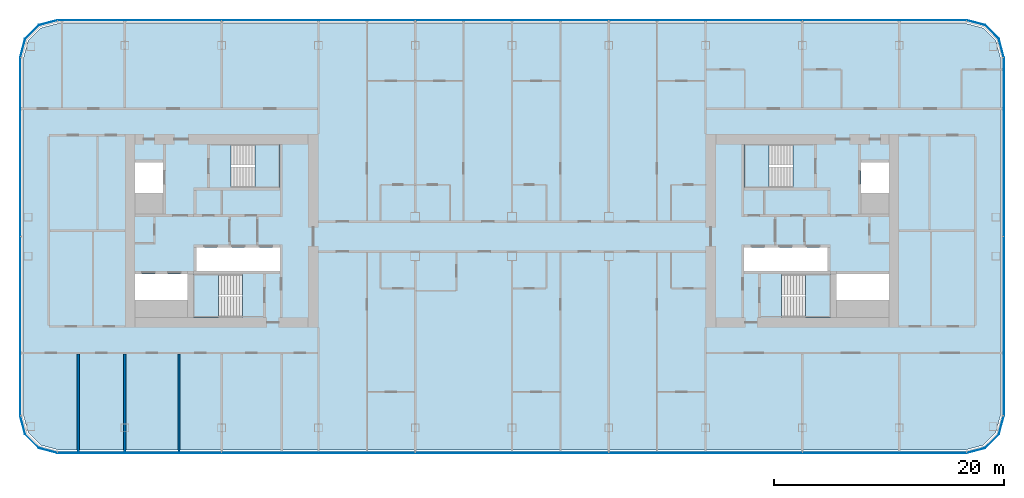
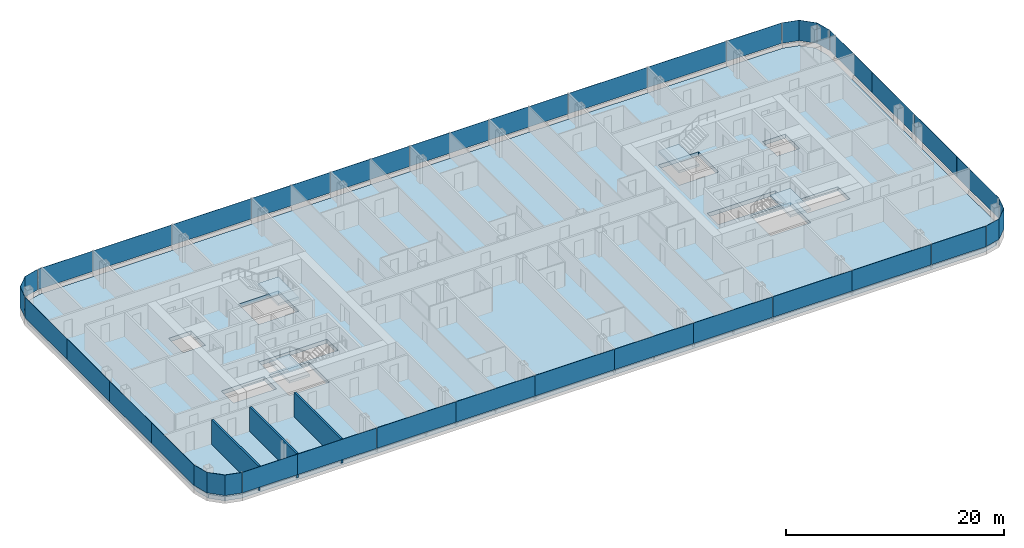
# One storey, part 11 of 26: 32 plates, 5 slabs, 3 walls, 12 elements without a shape of their own.
"""IFC4 building model written with IfcOpenShell, lengths in metres."""

from ifc_helpers import new_model, si_unit, direction, frame, frame_2d, origin, origin_2d, place, context, subcontext, project, spatial, polyline, rectangle, outline, extrude, material, layer, layer_set, type_object, element, aggregate, save


model = new_model("IFC4")

# Units and contexts
model_context = context("Model", 3, precision=1e-05, world=origin(), true_north=direction((0.0, 1.0)))
body_context = subcontext(model_context, "Body", "Model", "MODEL_VIEW")
ifc_project = project(units=[si_unit("LENGTHUNIT", "METRE"), si_unit("AREAUNIT", "SQUARE_METRE"), si_unit("VOLUMEUNIT", "CUBIC_METRE"), si_unit("PLANEANGLEUNIT", "RADIAN"), si_unit("MASSUNIT", "GRAM", prefix="KILO")], contexts=[model_context])

# Site, building, storey
site_placement = place(None, origin())
site = spatial("IfcSite", under=ifc_project, at=site_placement, CompositionType="ELEMENT")
building_placement = place(site_placement, origin())
building = spatial("IfcBuilding", under=site, at=building_placement, Name="Hakoniwa Tower and Hamabe Station Hall", CompositionType="ELEMENT")
storey_placement = place(building_placement, frame((0.0, 0.0, 143.800048828125)))
storey = spatial("IfcBuildingStorey", under=building, at=storey_placement, Name="L40", CompositionType="ELEMENT", Elevation=143.800048828125)

# Stair, slab
ifc_material_1 = material(Name="Concrete C40", Category="concrete")
stair_type = type_object("IfcStairType", Name="ESCAPE STAIR 1800", PredefinedType="HALF_TURN_STAIR", material=ifc_material_1)
stair_1_placement = place(storey_placement, origin())
stair_1 = element("IfcStair", 1, at=stair_1_placement, inside=storey, type_object=stair_type, Name="Escape stair ST-1 L40", PredefinedType="HALF_TURN_STAIR")
ifc_material_2 = material(Name="Concrete C40", Category="concrete")
ifc_layer_1 = layer(ifc_material_2, 0.25)
ifc_layer_set_1 = layer_set([ifc_layer_1], Name="CORE STAIR LANDING 250")
slab_type_1 = type_object("IfcSlabType", Name="CORE STAIR LANDING 250", PredefinedType="LANDING", material=ifc_layer_set_1)
slab_1_placement = place(storey_placement, frame((0.0, 0.0, 1.349853515625)))
slab_1 = element("IfcSlab", 2, at=slab_1_placement, type_object=slab_type_1, Name="ST-1 landing 1", PredefinedType="LANDING", context=body_context, shape_type="SweptSolid", body=[
    extrude(outline(polyline([(-22.320068359375, 3.75), (-20.14990234375, 3.75), (-20.14990234375, 7.5), (-22.320068359375, 7.5), (-22.320068359375, 3.75)])), origin(), (0.0, 0.0, 1.0), 0.25),
])
aggregate(stair_1, [slab_1])

stair_2_placement = place(storey_placement, origin())
stair_2 = element("IfcStair", 3, at=stair_2_placement, inside=storey, type_object=stair_type, Name="Escape stair ST-2 L40", PredefinedType="HALF_TURN_STAIR")
slab_2_placement = place(storey_placement, frame((0.0, 0.0, 1.349853515625)))
slab_2 = element("IfcSlab", 4, at=slab_2_placement, type_object=slab_type_1, Name="ST-2 landing 1", PredefinedType="LANDING", context=body_context, shape_type="SweptSolid", body=[
    extrude(outline(polyline([(-25.47998046875, -7.5), (-27.64990234375, -7.5), (-27.64990234375, -3.75), (-25.47998046875, -3.75), (-25.47998046875, -7.5)])), origin(), (0.0, 0.0, 1.0), 0.25),
])
aggregate(stair_2, [slab_2])

stair_3_placement = place(storey_placement, origin())
stair_3 = element("IfcStair", 5, at=stair_3_placement, inside=storey, type_object=stair_type, Name="Escape stair ST-3 L40", PredefinedType="HALF_TURN_STAIR")
slab_3_placement = place(storey_placement, frame((0.0, 0.0, 1.349853515625)))
slab_3 = element("IfcSlab", 6, at=slab_3_placement, type_object=slab_type_1, Name="ST-3 landing 1", PredefinedType="LANDING", context=body_context, shape_type="SweptSolid", body=[
    extrude(outline(polyline([(22.320068359375, 3.75), (20.14990234375, 3.75), (20.14990234375, 7.5), (22.320068359375, 7.5), (22.320068359375, 3.75)])), origin(), (0.0, 0.0, 1.0), 0.25),
])
aggregate(stair_3, [slab_3])

stair_4_placement = place(storey_placement, origin())
stair_4 = element("IfcStair", 7, at=stair_4_placement, inside=storey, type_object=stair_type, Name="Escape stair ST-4 L40", PredefinedType="HALF_TURN_STAIR")
slab_4_placement = place(storey_placement, frame((0.0, 0.0, 1.349853515625)))
slab_4 = element("IfcSlab", 8, at=slab_4_placement, type_object=slab_type_1, Name="ST-4 landing 1", PredefinedType="LANDING", context=body_context, shape_type="SweptSolid", body=[
    extrude(outline(polyline([(25.47998046875, -7.5), (27.64990234375, -7.5), (27.64990234375, -3.75), (25.47998046875, -3.75), (25.47998046875, -7.5)])), origin(), (0.0, 0.0, 1.0), 0.25),
])
aggregate(stair_4, [slab_4])

# Curtain wall, plates
ifc_material_3 = material(Name="Dark low-e laminated glass", Category="glass")
ifc_layer_2 = layer(ifc_material_3, 0.199951171875)
ifc_layer_set_2 = layer_set([ifc_layer_2], Name="CW-1 UNITISED GUEST")
curtain_wall_type = type_object("IfcCurtainWallType", Name="CW-1 UNITISED GUEST", PredefinedType="NOTDEFINED", material=ifc_layer_set_2)
curtain_wall_1_placement = place(storey_placement, origin())
curtain_wall_1 = element("IfcCurtainWall", 9, at=curtain_wall_1_placement, inside=storey, type_object=curtain_wall_type, Name="CW-1 curtain wall", PredefinedType="NOTDEFINED")
ifc_material_4 = material(Name="Dark low-e laminated glass", Category="glass")
ifc_layer_3 = layer(ifc_material_4, 0.028076171875)
ifc_layer_set_3 = layer_set([ifc_layer_3], Name="CW-1 GLASS UNIT")
plate_type = type_object("IfcPlateType", Name="CW-1 GLASS UNIT", PredefinedType="CURTAIN_PANEL", material=ifc_layer_set_3)
plate_1_placement = place(storey_placement, frame((42.68603515625, -12.154541015625, 0.35009765625), z_axis=(0.0, 0.0, 1.0), x_axis=(0.0, 1.0, 0.0)))
plate_1 = element("IfcPlate", 10, at=plate_1_placement, type_object=plate_type, Name="CW-1 glass unit", PredefinedType="CURTAIN_PANEL", context=body_context, shape_type="SweptSolid", body=[
    extrude(rectangle(XDim=7.749755859375, YDim=0.028076171875, at=origin_2d()), origin(), (0.0, 0.0, 1.0), 2.300048828125),
])
plate_2_placement = place(storey_placement, frame((42.68603515625, -4.384765625, 0.35009765625), z_axis=(0.0, 0.0, 1.0), x_axis=(0.0, 1.0, 0.0)))
plate_2 = element("IfcPlate", 11, at=plate_2_placement, type_object=plate_type, Name="CW-1 glass unit", PredefinedType="CURTAIN_PANEL", context=body_context, shape_type="SweptSolid", body=[
    extrude(rectangle(XDim=7.749755859375, YDim=0.028076171875, at=origin_2d()), origin(), (0.0, 0.0, 1.0), 2.300048828125),
])
plate_3_placement = place(storey_placement, frame((42.68603515625, 3.384765625, 0.35009765625), z_axis=(0.0, 0.0, 1.0), x_axis=(0.0, 1.0, 0.0)))
plate_3 = element("IfcPlate", 12, at=plate_3_placement, type_object=plate_type, Name="CW-1 glass unit", PredefinedType="CURTAIN_PANEL", context=body_context, shape_type="SweptSolid", body=[
    extrude(rectangle(XDim=7.749755859375, YDim=0.028076171875, at=origin_2d()), origin(), (0.0, 0.0, 1.0), 2.300048828125),
])
plate_4_placement = place(storey_placement, frame((42.68603515625, 11.154541015625, 0.35009765625), z_axis=(0.0, 0.0, 1.0), x_axis=(0.0, 1.0, 0.0)))
plate_4 = element("IfcPlate", 13, at=plate_4_placement, type_object=plate_type, Name="CW-1 glass unit", PredefinedType="CURTAIN_PANEL", context=body_context, shape_type="SweptSolid", body=[
    extrude(rectangle(XDim=7.749755859375, YDim=0.028076171875, at=origin_2d()), origin(), (0.0, 0.0, 1.0), 2.300048828125),
])
aggregate(curtain_wall_1, [plate_1, plate_2, plate_3, plate_4])

# Curtain wall, plate
curtain_wall_2_placement = place(storey_placement, origin())
curtain_wall_2 = element("IfcCurtainWall", 14, at=curtain_wall_2_placement, inside=storey, type_object=curtain_wall_type, Name="CW-1 curtain wall", PredefinedType="NOTDEFINED")
plate_5_placement = place(storey_placement, frame((0.0, 0.0, 0.349853515625)))
plate_5 = element("IfcPlate", 15, at=plate_5_placement, type_object=plate_type, Name="CW-1 curved corner unit", PredefinedType="CURTAIN_PANEL", context=body_context, shape_type="SweptSolid", body=[
    extrude(outline(polyline([(42.689697265625, 15.078125), (42.26708984375, 16.6552734375), (41.05517578125, 17.866943359375), (39.47802734375, 18.28955078125), (39.470947265625, 18.2626953125), (41.040771484375, 17.842041015625), (42.241943359375, 16.640869140625), (42.66259765625, 15.07080078125), (42.689697265625, 15.078125)])), origin(), (0.0, 0.0, 1.0), 2.300048828125),
])
aggregate(curtain_wall_2, [plate_5])

# Curtain wall, plates
curtain_wall_3_placement = place(storey_placement, origin())
curtain_wall_3 = element("IfcCurtainWall", 16, at=curtain_wall_3_placement, inside=storey, type_object=curtain_wall_type, Name="CW-1 curtain wall", PredefinedType="NOTDEFINED")
plate_6_placement = place(storey_placement, frame((36.519775390625, 18.285888671875, 0.35009765625), z_axis=(0.0, 0.0, 1.0), x_axis=(-1.0, 0.0, 0.0)))
plate_6 = element("IfcPlate", 17, at=plate_6_placement, type_object=plate_type, Name="CW-1 glass unit", PredefinedType="CURTAIN_PANEL", context=body_context, shape_type="SweptSolid", body=[
    extrude(rectangle(XDim=5.819580078125, YDim=0.028076171875, at=origin_2d()), origin(), (0.0, 0.0, 1.0), 2.300048828125),
])
plate_7_placement = place(storey_placement, frame((29.39990234375, 18.285888671875, 0.35009765625), z_axis=(0.0, 0.0, 1.0), x_axis=(-1.0, 0.0, 0.0)))
plate_7 = element("IfcPlate", 18, at=plate_7_placement, type_object=plate_type, Name="CW-1 glass unit", PredefinedType="CURTAIN_PANEL", context=body_context, shape_type="SweptSolid", body=[
    extrude(rectangle(XDim=8.3798828125, YDim=0.028076171875, at=origin_2d()), origin(), (0.0, 0.0, 1.0), 2.300048828125),
])
plate_8_placement = place(storey_placement, frame((21.0, 18.285888671875, 0.35009765625), z_axis=(0.0, 0.0, 1.0), x_axis=(-1.0, 0.0, 0.0)))
plate_8 = element("IfcPlate", 19, at=plate_8_placement, type_object=plate_type, Name="CW-1 glass unit", PredefinedType="CURTAIN_PANEL", context=body_context, shape_type="SweptSolid", body=[
    extrude(rectangle(XDim=8.3798828125, YDim=0.028076171875, at=origin_2d()), origin(), (0.0, 0.0, 1.0), 2.300048828125),
])
plate_9_placement = place(storey_placement, frame((12.60009765625, 18.285888671875, 0.35009765625), z_axis=(0.0, 0.0, 1.0), x_axis=(-1.0, 0.0, 0.0)))
plate_9 = element("IfcPlate", 20, at=plate_9_placement, type_object=plate_type, Name="CW-1 glass unit", PredefinedType="CURTAIN_PANEL", context=body_context, shape_type="SweptSolid", body=[
    extrude(rectangle(XDim=8.3798828125, YDim=0.028076171875, at=origin_2d()), origin(), (0.0, 0.0, 1.0), 2.300048828125),
])
plate_10_placement = place(storey_placement, frame((4.199951171875, 18.285888671875, 0.35009765625), z_axis=(0.0, 0.0, 1.0), x_axis=(-1.0, 0.0, 0.0)))
plate_10 = element("IfcPlate", 21, at=plate_10_placement, type_object=plate_type, Name="CW-1 glass unit", PredefinedType="CURTAIN_PANEL", context=body_context, shape_type="SweptSolid", body=[
    extrude(rectangle(XDim=8.3798828125, YDim=0.028076171875, at=origin_2d()), origin(), (0.0, 0.0, 1.0), 2.300048828125),
])
plate_11_placement = place(storey_placement, frame((-4.199951171875, 18.285888671875, 0.35009765625), z_axis=(0.0, 0.0, 1.0), x_axis=(-1.0, 0.0, 0.0)))
plate_11 = element("IfcPlate", 22, at=plate_11_placement, type_object=plate_type, Name="CW-1 glass unit", PredefinedType="CURTAIN_PANEL", context=body_context, shape_type="SweptSolid", body=[
    extrude(rectangle(XDim=8.3798828125, YDim=0.028076171875, at=origin_2d()), origin(), (0.0, 0.0, 1.0), 2.300048828125),
])
plate_12_placement = place(storey_placement, frame((-12.60009765625, 18.285888671875, 0.35009765625), z_axis=(0.0, 0.0, 1.0), x_axis=(-1.0, 0.0, 0.0)))
plate_12 = element("IfcPlate", 23, at=plate_12_placement, type_object=plate_type, Name="CW-1 glass unit", PredefinedType="CURTAIN_PANEL", context=body_context, shape_type="SweptSolid", body=[
    extrude(rectangle(XDim=8.3798828125, YDim=0.028076171875, at=origin_2d()), origin(), (0.0, 0.0, 1.0), 2.300048828125),
])
plate_13_placement = place(storey_placement, frame((-21.0, 18.285888671875, 0.35009765625), z_axis=(0.0, 0.0, 1.0), x_axis=(-1.0, 0.0, 0.0)))
plate_13 = element("IfcPlate", 24, at=plate_13_placement, type_object=plate_type, Name="CW-1 glass unit", PredefinedType="CURTAIN_PANEL", context=body_context, shape_type="SweptSolid", body=[
    extrude(rectangle(XDim=8.3798828125, YDim=0.028076171875, at=origin_2d()), origin(), (0.0, 0.0, 1.0), 2.300048828125),
])
plate_14_placement = place(storey_placement, frame((-29.39990234375, 18.285888671875, 0.35009765625), z_axis=(0.0, 0.0, 1.0), x_axis=(-1.0, 0.0, 0.0)))
plate_14 = element("IfcPlate", 25, at=plate_14_placement, type_object=plate_type, Name="CW-1 glass unit", PredefinedType="CURTAIN_PANEL", context=body_context, shape_type="SweptSolid", body=[
    extrude(rectangle(XDim=8.3798828125, YDim=0.028076171875, at=origin_2d()), origin(), (0.0, 0.0, 1.0), 2.300048828125),
])
plate_15_placement = place(storey_placement, frame((-36.519775390625, 18.285888671875, 0.35009765625), z_axis=(0.0, 0.0, 1.0), x_axis=(-1.0, 0.0, 0.0)))
plate_15 = element("IfcPlate", 26, at=plate_15_placement, type_object=plate_type, Name="CW-1 glass unit", PredefinedType="CURTAIN_PANEL", context=body_context, shape_type="SweptSolid", body=[
    extrude(rectangle(XDim=5.819580078125, YDim=0.028076171875, at=origin_2d()), origin(), (0.0, 0.0, 1.0), 2.300048828125),
])
aggregate(curtain_wall_3, [plate_6, plate_7, plate_8, plate_9, plate_10, plate_11, plate_12, plate_13, plate_14, plate_15])

# Curtain wall, plate
curtain_wall_4_placement = place(storey_placement, origin())
curtain_wall_4 = element("IfcCurtainWall", 27, at=curtain_wall_4_placement, inside=storey, type_object=curtain_wall_type, Name="CW-1 curtain wall", PredefinedType="NOTDEFINED")
plate_16_placement = place(storey_placement, frame((0.0, 0.0, 0.349853515625)))
plate_16 = element("IfcPlate", 28, at=plate_16_placement, type_object=plate_type, Name="CW-1 curved corner unit", PredefinedType="CURTAIN_PANEL", context=body_context, shape_type="SweptSolid", body=[
    extrude(outline(polyline([(-39.47802734375, 18.28955078125), (-41.05517578125, 17.866943359375), (-42.26708984375, 16.6552734375), (-42.689697265625, 15.078125), (-42.66259765625, 15.07080078125), (-42.241943359375, 16.640869140625), (-41.040771484375, 17.842041015625), (-39.470947265625, 18.2626953125), (-39.47802734375, 18.28955078125)])), origin(), (0.0, 0.0, 1.0), 2.300048828125),
])
aggregate(curtain_wall_4, [plate_16])

# Curtain wall, plates
curtain_wall_5_placement = place(storey_placement, origin())
curtain_wall_5 = element("IfcCurtainWall", 29, at=curtain_wall_5_placement, inside=storey, type_object=curtain_wall_type, Name="CW-1 curtain wall", PredefinedType="NOTDEFINED")
plate_17_placement = place(storey_placement, frame((-42.68603515625, 11.154541015625, 0.35009765625), z_axis=(0.0, 0.0, 1.0), x_axis=(0.0, -1.0, 0.0)))
plate_17 = element("IfcPlate", 30, at=plate_17_placement, type_object=plate_type, Name="CW-1 glass unit", PredefinedType="CURTAIN_PANEL", context=body_context, shape_type="SweptSolid", body=[
    extrude(rectangle(XDim=7.749755859375, YDim=0.028076171875, at=origin_2d()), origin(), (0.0, 0.0, 1.0), 2.300048828125),
])
plate_18_placement = place(storey_placement, frame((-42.68603515625, 3.384765625, 0.35009765625), z_axis=(0.0, 0.0, 1.0), x_axis=(0.0, -1.0, 0.0)))
plate_18 = element("IfcPlate", 31, at=plate_18_placement, type_object=plate_type, Name="CW-1 glass unit", PredefinedType="CURTAIN_PANEL", context=body_context, shape_type="SweptSolid", body=[
    extrude(rectangle(XDim=7.749755859375, YDim=0.028076171875, at=origin_2d()), origin(), (0.0, 0.0, 1.0), 2.300048828125),
])
plate_19_placement = place(storey_placement, frame((-42.68603515625, -4.384765625, 0.35009765625), z_axis=(0.0, 0.0, 1.0), x_axis=(0.0, -1.0, 0.0)))
plate_19 = element("IfcPlate", 32, at=plate_19_placement, type_object=plate_type, Name="CW-1 glass unit", PredefinedType="CURTAIN_PANEL", context=body_context, shape_type="SweptSolid", body=[
    extrude(rectangle(XDim=7.749755859375, YDim=0.028076171875, at=origin_2d()), origin(), (0.0, 0.0, 1.0), 2.300048828125),
])
plate_20_placement = place(storey_placement, frame((-42.68603515625, -12.154541015625, 0.35009765625), z_axis=(0.0, 0.0, 1.0), x_axis=(0.0, -1.0, 0.0)))
plate_20 = element("IfcPlate", 33, at=plate_20_placement, type_object=plate_type, Name="CW-1 glass unit", PredefinedType="CURTAIN_PANEL", context=body_context, shape_type="SweptSolid", body=[
    extrude(rectangle(XDim=7.749755859375, YDim=0.028076171875, at=origin_2d()), origin(), (0.0, 0.0, 1.0), 2.300048828125),
])
aggregate(curtain_wall_5, [plate_17, plate_18, plate_19, plate_20])

# Curtain wall, plate
curtain_wall_6_placement = place(storey_placement, origin())
curtain_wall_6 = element("IfcCurtainWall", 34, at=curtain_wall_6_placement, inside=storey, type_object=curtain_wall_type, Name="CW-1 curtain wall", PredefinedType="NOTDEFINED")
plate_21_placement = place(storey_placement, frame((0.0, 0.0, 0.349853515625)))
plate_21 = element("IfcPlate", 35, at=plate_21_placement, type_object=plate_type, Name="CW-1 curved corner unit", PredefinedType="CURTAIN_PANEL", context=body_context, shape_type="SweptSolid", body=[
    extrude(outline(polyline([(-42.689697265625, -16.078125), (-42.26708984375, -17.6552734375), (-41.05517578125, -18.866943359375), (-39.47802734375, -19.28955078125), (-39.470947265625, -19.2626953125), (-41.040771484375, -18.842041015625), (-42.241943359375, -17.640869140625), (-42.66259765625, -16.07080078125), (-42.689697265625, -16.078125)])), origin(), (0.0, 0.0, 1.0), 2.300048828125),
])
aggregate(curtain_wall_6, [plate_21])

# Curtain wall, plates
curtain_wall_7_placement = place(storey_placement, origin())
curtain_wall_7 = element("IfcCurtainWall", 36, at=curtain_wall_7_placement, inside=storey, type_object=curtain_wall_type, Name="CW-1 curtain wall", PredefinedType="NOTDEFINED")
plate_22_placement = place(storey_placement, frame((-36.519775390625, -19.285888671875, 0.35009765625), z_axis=(0.0, 0.0, 1.0), x_axis=(1.0, 0.0, 0.0)))
plate_22 = element("IfcPlate", 37, at=plate_22_placement, type_object=plate_type, Name="CW-1 glass unit", PredefinedType="CURTAIN_PANEL", context=body_context, shape_type="SweptSolid", body=[
    extrude(rectangle(XDim=5.819580078125, YDim=0.028076171875, at=origin_2d()), origin(), (0.0, 0.0, 1.0), 2.300048828125),
])
plate_23_placement = place(storey_placement, frame((-29.39990234375, -19.285888671875, 0.35009765625), z_axis=(0.0, 0.0, 1.0), x_axis=(1.0, 0.0, 0.0)))
plate_23 = element("IfcPlate", 38, at=plate_23_placement, type_object=plate_type, Name="CW-1 glass unit", PredefinedType="CURTAIN_PANEL", context=body_context, shape_type="SweptSolid", body=[
    extrude(rectangle(XDim=8.3798828125, YDim=0.028076171875, at=origin_2d()), origin(), (0.0, 0.0, 1.0), 2.300048828125),
])
plate_24_placement = place(storey_placement, frame((-21.0, -19.285888671875, 0.35009765625), z_axis=(0.0, 0.0, 1.0), x_axis=(1.0, 0.0, 0.0)))
plate_24 = element("IfcPlate", 39, at=plate_24_placement, type_object=plate_type, Name="CW-1 glass unit", PredefinedType="CURTAIN_PANEL", context=body_context, shape_type="SweptSolid", body=[
    extrude(rectangle(XDim=8.3798828125, YDim=0.028076171875, at=origin_2d()), origin(), (0.0, 0.0, 1.0), 2.300048828125),
])
plate_25_placement = place(storey_placement, frame((-12.60009765625, -19.285888671875, 0.35009765625), z_axis=(0.0, 0.0, 1.0), x_axis=(1.0, 0.0, 0.0)))
plate_25 = element("IfcPlate", 40, at=plate_25_placement, type_object=plate_type, Name="CW-1 glass unit", PredefinedType="CURTAIN_PANEL", context=body_context, shape_type="SweptSolid", body=[
    extrude(rectangle(XDim=8.3798828125, YDim=0.028076171875, at=origin_2d()), origin(), (0.0, 0.0, 1.0), 2.300048828125),
])
plate_26_placement = place(storey_placement, frame((-4.199951171875, -19.285888671875, 0.35009765625), z_axis=(0.0, 0.0, 1.0), x_axis=(1.0, 0.0, 0.0)))
plate_26 = element("IfcPlate", 41, at=plate_26_placement, type_object=plate_type, Name="CW-1 glass unit", PredefinedType="CURTAIN_PANEL", context=body_context, shape_type="SweptSolid", body=[
    extrude(rectangle(XDim=8.3798828125, YDim=0.028076171875, at=origin_2d()), origin(), (0.0, 0.0, 1.0), 2.300048828125),
])
plate_27_placement = place(storey_placement, frame((4.199951171875, -19.285888671875, 0.35009765625), z_axis=(0.0, 0.0, 1.0), x_axis=(1.0, 0.0, 0.0)))
plate_27 = element("IfcPlate", 42, at=plate_27_placement, type_object=plate_type, Name="CW-1 glass unit", PredefinedType="CURTAIN_PANEL", context=body_context, shape_type="SweptSolid", body=[
    extrude(rectangle(XDim=8.3798828125, YDim=0.028076171875, at=origin_2d()), origin(), (0.0, 0.0, 1.0), 2.300048828125),
])
plate_28_placement = place(storey_placement, frame((12.60009765625, -19.285888671875, 0.35009765625), z_axis=(0.0, 0.0, 1.0), x_axis=(1.0, 0.0, 0.0)))
plate_28 = element("IfcPlate", 43, at=plate_28_placement, type_object=plate_type, Name="CW-1 glass unit", PredefinedType="CURTAIN_PANEL", context=body_context, shape_type="SweptSolid", body=[
    extrude(rectangle(XDim=8.3798828125, YDim=0.028076171875, at=origin_2d()), origin(), (0.0, 0.0, 1.0), 2.300048828125),
])
plate_29_placement = place(storey_placement, frame((21.0, -19.285888671875, 0.35009765625), z_axis=(0.0, 0.0, 1.0), x_axis=(1.0, 0.0, 0.0)))
plate_29 = element("IfcPlate", 44, at=plate_29_placement, type_object=plate_type, Name="CW-1 glass unit", PredefinedType="CURTAIN_PANEL", context=body_context, shape_type="SweptSolid", body=[
    extrude(rectangle(XDim=8.3798828125, YDim=0.028076171875, at=origin_2d()), origin(), (0.0, 0.0, 1.0), 2.300048828125),
])
plate_30_placement = place(storey_placement, frame((29.39990234375, -19.285888671875, 0.35009765625), z_axis=(0.0, 0.0, 1.0), x_axis=(1.0, 0.0, 0.0)))
plate_30 = element("IfcPlate", 45, at=plate_30_placement, type_object=plate_type, Name="CW-1 glass unit", PredefinedType="CURTAIN_PANEL", context=body_context, shape_type="SweptSolid", body=[
    extrude(rectangle(XDim=8.3798828125, YDim=0.028076171875, at=origin_2d()), origin(), (0.0, 0.0, 1.0), 2.300048828125),
])
plate_31_placement = place(storey_placement, frame((36.519775390625, -19.285888671875, 0.35009765625), z_axis=(0.0, 0.0, 1.0), x_axis=(1.0, 0.0, 0.0)))
plate_31 = element("IfcPlate", 46, at=plate_31_placement, type_object=plate_type, Name="CW-1 glass unit", PredefinedType="CURTAIN_PANEL", context=body_context, shape_type="SweptSolid", body=[
    extrude(rectangle(XDim=5.819580078125, YDim=0.028076171875, at=origin_2d()), origin(), (0.0, 0.0, 1.0), 2.300048828125),
])
aggregate(curtain_wall_7, [plate_22, plate_23, plate_24, plate_25, plate_26, plate_27, plate_28, plate_29, plate_30, plate_31])

# Curtain wall, plate
curtain_wall_8_placement = place(storey_placement, origin())
curtain_wall_8 = element("IfcCurtainWall", 47, at=curtain_wall_8_placement, inside=storey, type_object=curtain_wall_type, Name="CW-1 curtain wall", PredefinedType="NOTDEFINED")
plate_32_placement = place(storey_placement, frame((0.0, 0.0, 0.349853515625)))
plate_32 = element("IfcPlate", 48, at=plate_32_placement, type_object=plate_type, Name="CW-1 curved corner unit", PredefinedType="CURTAIN_PANEL", context=body_context, shape_type="SweptSolid", body=[
    extrude(outline(polyline([(39.47802734375, -19.28955078125), (41.05517578125, -18.866943359375), (42.26708984375, -17.6552734375), (42.689697265625, -16.078125), (42.66259765625, -16.07080078125), (42.241943359375, -17.640869140625), (41.040771484375, -18.842041015625), (39.470947265625, -19.2626953125), (39.47802734375, -19.28955078125)])), origin(), (0.0, 0.0, 1.0), 2.300048828125),
])
aggregate(curtain_wall_8, [plate_32])

# Slab
ifc_material_5 = material(Name="Concrete C42", Category="concrete")
ifc_layer_4 = layer(ifc_material_5, 0.449951171875)
ifc_layer_set_4 = layer_set([ifc_layer_4], Name="PT FLAT PLATE 450")
slab_type_2 = type_object("IfcSlabType", Name="PT FLAT PLATE 450", PredefinedType="FLOOR", material=ifc_layer_set_4)
slab_5_placement = place(storey_placement, frame((0.0, 0.0, -0.449951171875)))
element("IfcSlab", 49, at=slab_5_placement, inside=storey, type_object=slab_type_2, Name="Floor slab L40", PredefinedType="FLOOR", context=body_context, shape_type="SweptSolid", body=[
    extrude(outline(polyline([(42.39990234375, -16.0), (42.39990234375, 15.0), (41.998046875, 16.5), (40.89990234375, 17.59814453125), (39.39990234375, 18.0), (-39.39990234375, 18.0), (-40.89990234375, 17.59814453125), (-41.998046875, 16.5), (-42.39990234375, 15.0), (-42.39990234375, -16.0), (-41.998046875, -17.5), (-40.89990234375, -18.59814453125), (-39.39990234375, -19.0), (39.39990234375, -19.0), (40.89990234375, -18.59814453125), (41.998046875, -17.5), (42.39990234375, -16.0)]), holes=[polyline([(-27.39990234375, -3.5), (-27.39990234375, -1.449951171875), (-20.14990234375, -1.449951171875), (-20.14990234375, -3.5), (-27.39990234375, -3.5)]), polyline([(-32.699951171875, 3.300048828125), (-32.699951171875, 5.949951171875), (-30.300048828125, 5.949951171875), (-30.300048828125, 3.300048828125), (-32.699951171875, 3.300048828125)]), polyline([(-32.699951171875, -6.0), (-32.699951171875, -3.75), (-28.14990234375, -3.75), (-28.14990234375, -6.0), (-32.699951171875, -6.0)]), polyline([(-24.389892578125, 3.75), (-24.389892578125, 7.5), (-20.14990234375, 7.5), (-20.14990234375, 3.75), (-24.389892578125, 3.75)]), polyline([(-27.64990234375, -7.5), (-27.64990234375, -3.75), (-23.409912109375, -3.75), (-23.409912109375, -7.5), (-27.64990234375, -7.5)]), polyline([(20.14990234375, -3.5), (20.14990234375, -1.449951171875), (27.39990234375, -1.449951171875), (27.39990234375, -3.5), (20.14990234375, -3.5)]), polyline([(30.300048828125, 3.300048828125), (30.300048828125, 5.949951171875), (32.699951171875, 5.949951171875), (32.699951171875, 3.300048828125), (30.300048828125, 3.300048828125)]), polyline([(28.14990234375, -6.0), (28.14990234375, -3.75), (32.699951171875, -3.75), (32.699951171875, -6.0), (28.14990234375, -6.0)]), polyline([(20.14990234375, 3.75), (20.14990234375, 7.5), (24.389892578125, 7.5), (24.389892578125, 3.75), (20.14990234375, 3.75)]), polyline([(23.409912109375, -7.5), (23.409912109375, -3.75), (27.64990234375, -3.75), (27.64990234375, -7.5), (23.409912109375, -7.5)])]), origin(), (0.0, 0.0, 1.0), 0.449951171875),
])

# Walls
ifc_material_6 = material(Name="Fire-rated gypsum board partition", Category="gypsum")
ifc_layer_5 = layer(ifc_material_6, 0.199951171875)
ifc_layer_set_5 = layer_set([ifc_layer_5], Name="Party Wall 200")
wall_type = type_object("IfcWallType", Name="Party Wall 200", PredefinedType="PARTITIONING", material=ifc_layer_set_5)
for number, where, z_axis, x_axis, name in (
    (50, (-37.64990234375, -19.300048828125, 0.0), (0.0, 0.0, 1.0), (0.0, 1.0, 0.0), "GW-L40-031"),
    (51, (-33.60009765625, -19.300048828125, 0.0), (0.0, 0.0, 1.0), (0.0, 1.0, 0.0), "GW-L40-034"),
    (52, (-28.89990234375, -19.300048828125, 0.0), (0.0, 0.0, 1.0), (0.0, 1.0, 0.0), "GW-L40-036"),
):
    element("IfcWall", number, at=place(storey_placement, frame(where, z_axis=z_axis, x_axis=x_axis)), inside=storey, type_object=wall_type, Name=name, PredefinedType="PARTITIONING", context=body_context, shape_type="SweptSolid", body=[
        extrude(rectangle(XDim=8.60009765625, YDim=0.199951171875, at=frame_2d((4.300048828125, 0.0))), origin(), (0.0, 0.0, 1.0), 2.75),
    ])

save(model, "model.ifc")
